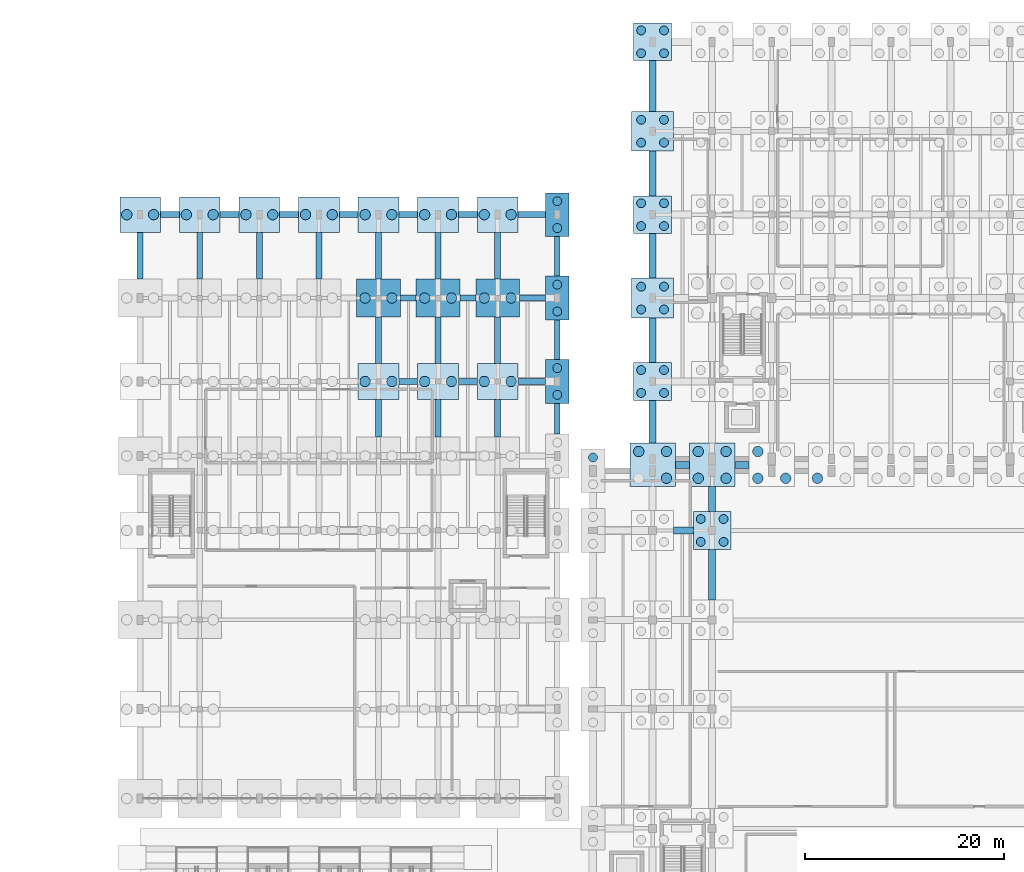
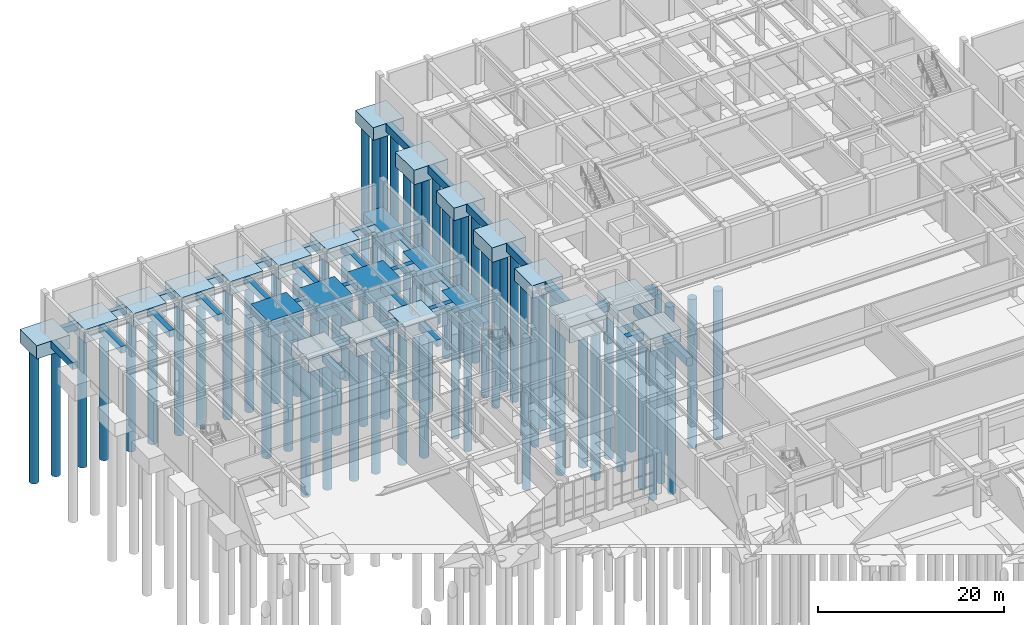
# One storey, part 6 of 69: 68 piles, 63 footings.
"""IFC4 building model written with IfcOpenShell, lengths in metres."""

from ifc_helpers import new_model, si_unit, direction, frame, origin, origin_2d, place, context, subcontext, project, spatial, rectangle, circle, extrude, material, material_profile, profile_set, type_object, element, save


model = new_model("IFC4")

# Units and contexts
model_context = context("Model", 3, precision=1e-05, world=origin(), true_north=direction((0.0, 1.0)))
body_context = subcontext(model_context, "Body", "Model", "MODEL_VIEW")
ifc_project = project(units=[si_unit("LENGTHUNIT", "METRE"), si_unit("AREAUNIT", "SQUARE_METRE"), si_unit("VOLUMEUNIT", "CUBIC_METRE"), si_unit("PLANEANGLEUNIT", "RADIAN"), si_unit("MASSUNIT", "GRAM", prefix="KILO")], contexts=[model_context])

# Site, building, storey
site_placement = place(None, origin())
site = spatial("IfcSite", under=ifc_project, at=site_placement, CompositionType="ELEMENT")
building_placement = place(site_placement, origin())
building = spatial("IfcBuilding", under=site, at=building_placement, Name="Vaelkrest Opera House", CompositionType="ELEMENT")
storey_placement = place(building_placement, frame((0.0, 0.0, -5.39990234375)))
storey = spatial("IfcBuildingStorey", under=building, at=storey_placement, Name="B1", CompositionType="ELEMENT", Elevation=-5.39990234375)

# Footings
ifc_material = material(Name="Concrete C40/50", Category="concrete")
footing_type_1 = type_object("IfcFootingType", Name="FB01", PredefinedType="FOOTING_BEAM", material=ifc_material)
for number, where, z_axis, x_axis, name in (
    (1, (-48.60009765625, 25.199951171875, -0.900146484375), (0.0, 0.0, 1.0), (1.0, 0.0, 0.0), "Footing tie beam FT-GB-0222"),
    (2, (-42.60009765625, 25.199951171875, -0.900146484375), (0.0, 0.0, 1.0), (1.0, 0.0, 0.0), "Footing tie beam FT-GB-0223"),
):
    element("IfcFooting", number, at=place(storey_placement, frame(where, z_axis=z_axis, x_axis=x_axis)), inside=storey, type_object=footing_type_1, Name=name, PredefinedType="FOOTING_BEAM", context=body_context, shape_type="SweptSolid", body=[
        extrude(rectangle(XDim=1.89990234375, YDim=0.60009765625, at=origin_2d()), origin(), (0.0, 0.0, 1.0), 0.89990234375),
    ])
footing_1_placement = place(storey_placement, frame((-36.175048828125, 25.199951171875, -0.900146484375), z_axis=(0.0, 0.0, 1.0), x_axis=(1.0, 0.0, 0.0)))
element("IfcFooting", 3, at=footing_1_placement, inside=storey, type_object=footing_type_1, Name="Footing tie beam FT-GB-0224", PredefinedType="FOOTING_BEAM", context=body_context, shape_type="SweptSolid", body=[
    extrude(rectangle(XDim=2.75, YDim=0.60009765625, at=origin_2d()), origin(), (0.0, 0.0, 1.0), 0.89990234375),
])
for number, where, z_axis, x_axis, name in (
    (4, (-48.60009765625, 33.60009765625, -0.900146484375), (0.0, 0.0, 1.0), (1.0, 0.0, 0.0), "Footing tie beam FT-GB-0229"),
    (5, (-42.60009765625, 33.60009765625, -0.900146484375), (0.0, 0.0, 1.0), (1.0, 0.0, 0.0), "Footing tie beam FT-GB-0230"),
):
    element("IfcFooting", number, at=place(storey_placement, frame(where, z_axis=z_axis, x_axis=x_axis)), inside=storey, type_object=footing_type_1, Name=name, PredefinedType="FOOTING_BEAM", context=body_context, shape_type="SweptSolid", body=[
        extrude(rectangle(XDim=1.60009765625, YDim=0.60009765625, at=origin_2d()), origin(), (0.0, 0.0, 1.0), 0.89990234375),
    ])
footing_2_placement = place(storey_placement, frame((-36.10009765625, 33.60009765625, -0.900146484375), z_axis=(0.0, 0.0, 1.0), x_axis=(1.0, 0.0, 0.0)))
element("IfcFooting", 6, at=footing_2_placement, inside=storey, type_object=footing_type_1, Name="Footing tie beam FT-GB-0231", PredefinedType="FOOTING_BEAM", context=body_context, shape_type="SweptSolid", body=[
    extrude(rectangle(XDim=2.60009765625, YDim=0.60009765625, at=origin_2d()), origin(), (0.0, 0.0, 1.0), 0.89990234375),
])
for number, where, z_axis, x_axis, name in (
    (7, (-72.60009765625, 42.0, -0.900146484375), (0.0, 0.0, 1.0), (1.0, 0.0, 0.0), "Footing tie beam FT-GB-0232"),
    (8, (-66.60009765625, 42.0, -0.900146484375), (0.0, 0.0, 1.0), (1.0, 0.0, 0.0), "Footing tie beam FT-GB-0233"),
    (9, (-60.60009765625, 42.0, -0.900146484375), (0.0, 0.0, 1.0), (1.0, 0.0, 0.0), "Footing tie beam FT-GB-0234"),
    (10, (-54.60009765625, 42.0, -0.900146484375), (0.0, 0.0, 1.0), (1.0, 0.0, 0.0), "Footing tie beam FT-GB-0235"),
    (11, (-48.60009765625, 42.0, -0.900146484375), (0.0, 0.0, 1.0), (1.0, 0.0, 0.0), "Footing tie beam FT-GB-0236"),
    (12, (-42.60009765625, 42.0, -0.900146484375), (0.0, 0.0, 1.0), (1.0, 0.0, 0.0), "Footing tie beam FT-GB-0237"),
):
    element("IfcFooting", number, at=place(storey_placement, frame(where, z_axis=z_axis, x_axis=x_axis)), inside=storey, type_object=footing_type_1, Name=name, PredefinedType="FOOTING_BEAM", context=body_context, shape_type="SweptSolid", body=[
        extrude(rectangle(XDim=1.89990234375, YDim=0.60009765625, at=origin_2d()), origin(), (0.0, 0.0, 1.0), 0.89990234375),
    ])
footing_3_placement = place(storey_placement, frame((-36.175048828125, 42.0, -0.900146484375), z_axis=(0.0, 0.0, 1.0), x_axis=(1.0, 0.0, 0.0)))
element("IfcFooting", 13, at=footing_3_placement, inside=storey, type_object=footing_type_1, Name="Footing tie beam FT-GB-0238", PredefinedType="FOOTING_BEAM", context=body_context, shape_type="SweptSolid", body=[
    extrude(rectangle(XDim=2.75, YDim=0.60009765625, at=origin_2d()), origin(), (0.0, 0.0, 1.0), 0.89990234375),
])
for number, where, z_axis, x_axis, name in (
    (14, (-75.60009765625, 37.85009765625, -0.900146484375), (0.0, 0.0, 1.0), (0.0, 1.0, 0.0), "Footing tie beam FT-GB-0245"),
    (15, (-69.60009765625, 37.85009765625, -0.900146484375), (0.0, 0.0, 1.0), (0.0, 1.0, 0.0), "Footing tie beam FT-GB-0252"),
    (16, (-63.60009765625, 37.85009765625, -0.900146484375), (0.0, 0.0, 1.0), (0.0, 1.0, 0.0), "Footing tie beam FT-GB-0256"),
    (17, (-57.60009765625, 37.85009765625, -0.900146484375), (0.0, 0.0, 1.0), (0.0, 1.0, 0.0), "Footing tie beam FT-GB-0260"),
):
    element("IfcFooting", number, at=place(storey_placement, frame(where, z_axis=z_axis, x_axis=x_axis)), inside=storey, type_object=footing_type_1, Name=name, PredefinedType="FOOTING_BEAM", context=body_context, shape_type="SweptSolid", body=[
        extrude(rectangle(XDim=4.699951171875, YDim=0.60009765625, at=origin_2d()), origin(), (0.0, 0.0, 1.0), 0.89990234375),
    ])
footing_4_placement = place(storey_placement, frame((-51.60009765625, 21.5, -0.900146484375), z_axis=(0.0, 0.0, 1.0), x_axis=(0.0, 1.0, 0.0)))
element("IfcFooting", 18, at=footing_4_placement, inside=storey, type_object=footing_type_1, Name="Footing tie beam FT-GB-0265", PredefinedType="FOOTING_BEAM", context=body_context, shape_type="SweptSolid", body=[
    extrude(rectangle(XDim=3.800048828125, YDim=0.60009765625, at=origin_2d()), origin(), (0.0, 0.0, 1.0), 0.89990234375),
])
for number, where, z_axis, x_axis, name in (
    (19, (-51.60009765625, 29.35009765625, -0.900146484375), (0.0, 0.0, 1.0), (0.0, 1.0, 0.0), "Footing tie beam FT-GB-0266"),
    (20, (-51.60009765625, 37.85009765625, -0.900146484375), (0.0, 0.0, 1.0), (0.0, 1.0, 0.0), "Footing tie beam FT-GB-0267"),
):
    element("IfcFooting", number, at=place(storey_placement, frame(where, z_axis=z_axis, x_axis=x_axis)), inside=storey, type_object=footing_type_1, Name=name, PredefinedType="FOOTING_BEAM", context=body_context, shape_type="SweptSolid", body=[
        extrude(rectangle(XDim=4.699951171875, YDim=0.60009765625, at=origin_2d()), origin(), (0.0, 0.0, 1.0), 0.89990234375),
    ])
footing_5_placement = place(storey_placement, frame((-45.60009765625, 21.5, -0.900146484375), z_axis=(0.0, 0.0, 1.0), x_axis=(0.0, 1.0, 0.0)))
element("IfcFooting", 21, at=footing_5_placement, inside=storey, type_object=footing_type_1, Name="Footing tie beam FT-GB-0272", PredefinedType="FOOTING_BEAM", context=body_context, shape_type="SweptSolid", body=[
    extrude(rectangle(XDim=3.800048828125, YDim=0.60009765625, at=origin_2d()), origin(), (0.0, 0.0, 1.0), 0.89990234375),
])
for number, where, z_axis, x_axis, name in (
    (22, (-45.60009765625, 29.35009765625, -0.900146484375), (0.0, 0.0, 1.0), (0.0, 1.0, 0.0), "Footing tie beam FT-GB-0273"),
    (23, (-45.60009765625, 37.85009765625, -0.900146484375), (0.0, 0.0, 1.0), (0.0, 1.0, 0.0), "Footing tie beam FT-GB-0274"),
):
    element("IfcFooting", number, at=place(storey_placement, frame(where, z_axis=z_axis, x_axis=x_axis)), inside=storey, type_object=footing_type_1, Name=name, PredefinedType="FOOTING_BEAM", context=body_context, shape_type="SweptSolid", body=[
        extrude(rectangle(XDim=4.699951171875, YDim=0.60009765625, at=origin_2d()), origin(), (0.0, 0.0, 1.0), 0.89990234375),
    ])
footing_6_placement = place(storey_placement, frame((-39.60009765625, 21.5, -0.900146484375), z_axis=(0.0, 0.0, 1.0), x_axis=(0.0, 1.0, 0.0)))
element("IfcFooting", 24, at=footing_6_placement, inside=storey, type_object=footing_type_1, Name="Footing tie beam FT-GB-0279", PredefinedType="FOOTING_BEAM", context=body_context, shape_type="SweptSolid", body=[
    extrude(rectangle(XDim=3.800048828125, YDim=0.60009765625, at=origin_2d()), origin(), (0.0, 0.0, 1.0), 0.89990234375),
])
for number, where, z_axis, x_axis, name in (
    (25, (-39.60009765625, 29.35009765625, -0.900146484375), (0.0, 0.0, 1.0), (0.0, 1.0, 0.0), "Footing tie beam FT-GB-0280"),
    (26, (-39.60009765625, 37.85009765625, -0.900146484375), (0.0, 0.0, 1.0), (0.0, 1.0, 0.0), "Footing tie beam FT-GB-0281"),
):
    element("IfcFooting", number, at=place(storey_placement, frame(where, z_axis=z_axis, x_axis=x_axis)), inside=storey, type_object=footing_type_1, Name=name, PredefinedType="FOOTING_BEAM", context=body_context, shape_type="SweptSolid", body=[
        extrude(rectangle(XDim=4.699951171875, YDim=0.60009765625, at=origin_2d()), origin(), (0.0, 0.0, 1.0), 0.89990234375),
    ])
footing_7_placement = place(storey_placement, frame((-33.60009765625, 21.449951171875, -0.900146484375), z_axis=(0.0, 0.0, 1.0), x_axis=(0.0, 1.0, 0.0)))
element("IfcFooting", 27, at=footing_7_placement, inside=storey, type_object=footing_type_1, Name="Footing tie beam FT-GB-0286", PredefinedType="FOOTING_BEAM", context=body_context, shape_type="SweptSolid", body=[
    extrude(rectangle(XDim=3.10009765625, YDim=0.60009765625, at=origin_2d()), origin(), (0.0, 0.0, 1.0), 0.89990234375),
])
for number, where, z_axis, x_axis, name in (
    (28, (-33.60009765625, 29.39990234375, -0.900146484375), (0.0, 0.0, 1.0), (0.0, 1.0, 0.0), "Footing tie beam FT-GB-0287"),
    (29, (-33.60009765625, 37.800048828125, -0.900146484375), (0.0, 0.0, 1.0), (0.0, 1.0, 0.0), "Footing tie beam FT-GB-0288"),
):
    element("IfcFooting", number, at=place(storey_placement, frame(where, z_axis=z_axis, x_axis=x_axis)), inside=storey, type_object=footing_type_1, Name=name, PredefinedType="FOOTING_BEAM", context=body_context, shape_type="SweptSolid", body=[
        extrude(rectangle(XDim=4.0, YDim=0.60009765625, at=origin_2d()), origin(), (0.0, 0.0, 1.0), 0.89990234375),
    ])
footing_type_2 = type_object("IfcFootingType", Name="FB02", PredefinedType="FOOTING_BEAM", material=ifc_material)
footing_8_placement = place(storey_placement, frame((-20.89990234375, 10.199951171875, -1.05029296875), z_axis=(0.0, 0.0, 1.0), x_axis=(1.0, 0.0, 0.0)))
element("IfcFooting", 30, at=footing_8_placement, inside=storey, type_object=footing_type_2, Name="Footing tie beam FT-GB-0044", PredefinedType="FOOTING_BEAM", context=body_context, shape_type="SweptSolid", body=[
    extrude(rectangle(XDim=2.0, YDim=0.699951171875, at=origin_2d()), origin(), (0.0, 0.0, 1.0), 1.050048828125),
])
for number, where, z_axis, x_axis, name in (
    (31, (-21.0, 16.800048828125, -1.05029296875), (0.0, 0.0, 1.0), (1.0, 0.0, 0.0), "Footing tie beam FT-GB-0047"),
    (32, (-15.0, 16.800048828125, -1.05029296875), (0.0, 0.0, 1.0), (1.0, 0.0, 0.0), "Footing tie beam FT-GB-0048"),
):
    element("IfcFooting", number, at=place(storey_placement, frame(where, z_axis=z_axis, x_axis=x_axis)), inside=storey, type_object=footing_type_2, Name=name, PredefinedType="FOOTING_BEAM", context=body_context, shape_type="SweptSolid", body=[
        extrude(rectangle(XDim=1.39990234375, YDim=0.699951171875, at=origin_2d()), origin(), (0.0, 0.0, 1.0), 1.050048828125),
    ])
footing_9_placement = place(storey_placement, frame((-18.0, 5.75, -1.05029296875), z_axis=(0.0, 0.0, 1.0), x_axis=(0.0, 1.0, 0.0)))
element("IfcFooting", 33, at=footing_9_placement, inside=storey, type_object=footing_type_2, Name="Footing tie beam FT-GB-0075", PredefinedType="FOOTING_BEAM", context=body_context, shape_type="SweptSolid", body=[
    extrude(rectangle(XDim=5.10009765625, YDim=0.699951171875, at=origin_2d()), origin(), (0.0, 0.0, 1.0), 1.050048828125),
])
footing_10_placement = place(storey_placement, frame((-18.0, 13.35009765625, -1.05029296875), z_axis=(0.0, 0.0, 1.0), x_axis=(0.0, 1.0, 0.0)))
element("IfcFooting", 34, at=footing_10_placement, inside=storey, type_object=footing_type_2, Name="Footing tie beam FT-GB-0076", PredefinedType="FOOTING_BEAM", context=body_context, shape_type="SweptSolid", body=[
    extrude(rectangle(XDim=2.5, YDim=0.699951171875, at=origin_2d()), origin(), (0.0, 0.0, 1.0), 1.050048828125),
])
footing_11_placement = place(storey_placement, frame((-24.0, 21.14990234375, -1.05029296875), z_axis=(0.0, 0.0, 1.0), x_axis=(0.0, 1.0, 0.0)))
element("IfcFooting", 35, at=footing_11_placement, inside=storey, type_object=footing_type_2, Name="Footing tie beam FT-GB-0145", PredefinedType="FOOTING_BEAM", context=body_context, shape_type="SweptSolid", body=[
    extrude(rectangle(XDim=4.300048828125, YDim=0.699951171875, at=origin_2d()), origin(), (0.0, 0.0, 1.0), 1.050048828125),
])
for number, where, z_axis, x_axis, name in (
    (36, (-24.0, 29.35009765625, -1.05029296875), (0.0, 0.0, 1.0), (0.0, 1.0, 0.0), "Footing tie beam FT-GB-0146"),
    (37, (-24.0, 37.85009765625, -1.05029296875), (0.0, 0.0, 1.0), (0.0, 1.0, 0.0), "Footing tie beam FT-GB-0147"),
    (38, (-24.0, 46.14990234375, -1.05029296875), (0.0, 0.0, 1.0), (0.0, 1.0, 0.0), "Footing tie beam FT-GB-0148"),
):
    element("IfcFooting", number, at=place(storey_placement, frame(where, z_axis=z_axis, x_axis=x_axis)), inside=storey, type_object=footing_type_2, Name=name, PredefinedType="FOOTING_BEAM", context=body_context, shape_type="SweptSolid", body=[
        extrude(rectangle(XDim=4.5, YDim=0.699951171875, at=origin_2d()), origin(), (0.0, 0.0, 1.0), 1.050048828125),
    ])
footing_12_placement = place(storey_placement, frame((-24.0, 54.949951171875, -1.05029296875), z_axis=(0.0, 0.0, 1.0), x_axis=(0.0, 1.0, 0.0)))
element("IfcFooting", 39, at=footing_12_placement, inside=storey, type_object=footing_type_2, Name="Footing tie beam FT-GB-0149", PredefinedType="FOOTING_BEAM", context=body_context, shape_type="SweptSolid", body=[
    extrude(rectangle(XDim=5.10009765625, YDim=0.699951171875, at=origin_2d()), origin(), (0.0, 0.0, 1.0), 1.050048828125),
])
footing_type_3 = type_object("IfcFootingType", Name="PC02", PredefinedType="PILE_CAP", material=ifc_material)
for number, where, z_axis, x_axis, name in (
    (40, (-18.0, 10.199951171875, -1.650146484375), (0.0, 0.0, 1.0), (1.0, 0.0, 0.0), "Pile cap FT-CAP-024"),
    (41, (-24.0, 25.199951171875, -1.650146484375), (0.0, 0.0, 1.0), (1.0, 0.0, 0.0), "Pile cap FT-CAP-070"),
    (42, (-24.0, 42.0, -1.650146484375), (0.0, 0.0, 1.0), (1.0, 0.0, 0.0), "Pile cap FT-CAP-072"),
    (43, (-24.0, 59.39990234375, -1.650146484375), (0.0, 0.0, 1.0), (1.0, 0.0, 0.0), "Pile cap FT-CAP-074"),
):
    element("IfcFooting", number, at=place(storey_placement, frame(where, z_axis=z_axis, x_axis=x_axis)), inside=storey, type_object=footing_type_3, Name=name, PredefinedType="PILE_CAP", context=body_context, shape_type="SweptSolid", body=[
        extrude(rectangle(XDim=3.800048828125, YDim=3.800048828125, at=origin_2d()), origin(), (0.0, 0.0, 1.0), 1.64990234375),
    ])
footing_type_4 = type_object("IfcFootingType", Name="PC03", PredefinedType="PILE_CAP", material=ifc_material)
for number, where, z_axis, x_axis, name in (
    (44, (-75.60009765625, 42.0, -1.75), (0.0, 0.0, 1.0), (1.0, 0.0, 0.0), "Pile cap FT-CAP-124"),
    (45, (-69.60009765625, 42.0, -1.75), (0.0, 0.0, 1.0), (1.0, 0.0, 0.0), "Pile cap FT-CAP-132"),
    (46, (-63.60009765625, 42.0, -1.75), (0.0, 0.0, 1.0), (1.0, 0.0, 0.0), "Pile cap FT-CAP-138"),
    (47, (-57.60009765625, 42.0, -1.75), (0.0, 0.0, 1.0), (1.0, 0.0, 0.0), "Pile cap FT-CAP-144"),
    (48, (-51.60009765625, 25.199951171875, -1.75), (0.0, 0.0, 1.0), (1.0, 0.0, 0.0), "Pile cap FT-CAP-150"),
    (49, (-51.60009765625, 42.0, -1.75), (0.0, 0.0, 1.0), (1.0, 0.0, 0.0), "Pile cap FT-CAP-152"),
    (50, (-45.60009765625, 25.199951171875, -1.75), (0.0, 0.0, 1.0), (1.0, 0.0, 0.0), "Pile cap FT-CAP-158"),
    (51, (-45.60009765625, 42.0, -1.75), (0.0, 0.0, 1.0), (1.0, 0.0, 0.0), "Pile cap FT-CAP-160"),
    (52, (-39.60009765625, 25.199951171875, -1.75), (0.0, 0.0, 1.0), (1.0, 0.0, 0.0), "Pile cap FT-CAP-166"),
    (53, (-39.60009765625, 42.0, -1.75), (0.0, 0.0, 1.0), (1.0, 0.0, 0.0), "Pile cap FT-CAP-168"),
):
    element("IfcFooting", number, at=place(storey_placement, frame(where, z_axis=z_axis, x_axis=x_axis)), inside=storey, type_object=footing_type_4, Name=name, PredefinedType="PILE_CAP", context=body_context, shape_type="SweptSolid", body=[
        extrude(rectangle(XDim=4.10009765625, YDim=3.60009765625, at=origin_2d()), origin(), (0.0, 0.0, 1.0), 1.75),
    ])
footing_type_5 = type_object("IfcFootingType", Name="PC04", PredefinedType="PILE_CAP", material=ifc_material)
for number, where, z_axis, x_axis, name in (
    (54, (-24.0, 33.60009765625, -1.900146484375), (0.0, 0.0, 1.0), (1.0, 0.0, 0.0), "Pile cap FT-CAP-071"),
    (55, (-24.0, 50.39990234375, -1.900146484375), (0.0, 0.0, 1.0), (1.0, 0.0, 0.0), "Pile cap FT-CAP-073"),
):
    element("IfcFooting", number, at=place(storey_placement, frame(where, z_axis=z_axis, x_axis=x_axis)), inside=storey, type_object=footing_type_5, Name=name, PredefinedType="PILE_CAP", context=body_context, shape_type="SweptSolid", body=[
        extrude(rectangle(XDim=4.199951171875, YDim=4.0, at=origin_2d()), origin(), (0.0, 0.0, 1.0), 1.89990234375),
    ])
footing_type_6 = type_object("IfcFootingType", Name="PC05", PredefinedType="PILE_CAP", material=ifc_material)
for number, where, z_axis, x_axis, name in (
    (56, (-51.60009765625, 33.60009765625, -2.05029296875), (0.0, 0.0, 1.0), (1.0, 0.0, 0.0), "Pile cap FT-CAP-151"),
    (57, (-45.60009765625, 33.60009765625, -2.05029296875), (0.0, 0.0, 1.0), (1.0, 0.0, 0.0), "Pile cap FT-CAP-159"),
    (58, (-39.60009765625, 33.60009765625, -2.05029296875), (0.0, 0.0, 1.0), (1.0, 0.0, 0.0), "Pile cap FT-CAP-167"),
):
    element("IfcFooting", number, at=place(storey_placement, frame(where, z_axis=z_axis, x_axis=x_axis)), inside=storey, type_object=footing_type_6, Name=name, PredefinedType="PILE_CAP", context=body_context, shape_type="SweptSolid", body=[
        extrude(rectangle(XDim=4.39990234375, YDim=3.800048828125, at=origin_2d()), origin(), (0.0, 0.0, 1.0), 2.050048828125),
    ])
footing_type_7 = type_object("IfcFootingType", Name="PC07", PredefinedType="PILE_CAP", material=ifc_material)
for number, where, z_axis, x_axis, name in (
    (59, (-24.0, 16.800048828125, -2.150146484375), (0.0, 0.0, 1.0), (1.0, 0.0, 0.0), "Combined proscenium pile cap FT-CAP-016"),
    (60, (-18.0, 16.800048828125, -2.150146484375), (0.0, 0.0, 1.0), (1.0, 0.0, 0.0), "Combined proscenium pile cap FT-CAP-025"),
):
    element("IfcFooting", number, at=place(storey_placement, frame(where, z_axis=z_axis, x_axis=x_axis)), inside=storey, type_object=footing_type_7, Name=name, PredefinedType="PILE_CAP", context=body_context, shape_type="SweptSolid", body=[
        extrude(rectangle(XDim=4.60009765625, YDim=4.39990234375, at=origin_2d()), origin(), (0.0, 0.0, 1.0), 2.14990234375),
    ])
footing_type_8 = type_object("IfcFootingType", Name="PC08", PredefinedType="PILE_CAP", material=ifc_material)
for number, where, z_axis, x_axis, name in (
    (61, (-33.60009765625, 25.199951171875, -1.75), (0.0, 0.0, 1.0), (1.0, 0.0, 0.0), "Pile cap FT-CAP-174"),
    (62, (-33.60009765625, 33.60009765625, -1.75), (0.0, 0.0, 1.0), (1.0, 0.0, 0.0), "Pile cap FT-CAP-175"),
    (63, (-33.60009765625, 42.0, -1.75), (0.0, 0.0, 1.0), (1.0, 0.0, 0.0), "Pile cap FT-CAP-176"),
):
    element("IfcFooting", number, at=place(storey_placement, frame(where, z_axis=z_axis, x_axis=x_axis)), inside=storey, type_object=footing_type_8, Name=name, PredefinedType="PILE_CAP", context=body_context, shape_type="SweptSolid", body=[
        extrude(rectangle(XDim=2.39990234375, YDim=4.39990234375, at=origin_2d()), origin(), (0.0, 0.0, 1.0), 1.75),
    ])

# Piles
ifc_material_profile_1 = material_profile(ifc_material, circle(Radius=0.449951171875, at=origin_2d()), Name="PILE900")
ifc_profile_set_1 = profile_set([ifc_material_profile_1], Name="Concrete C40/50")
pile_type_1 = type_object("IfcPileType", Name="PL01", PredefinedType="BORED", material=ifc_profile_set_1)
pile_placement = place(storey_placement, frame((-30.0, 17.550048828125, -1.650146484375), z_axis=(0.0, 0.0, -1.0), x_axis=(1.0, 0.0, 0.0)))
element("IfcPile", 64, at=pile_placement, inside=storey, type_object=pile_type_1, Name="Bored pile PL-0018", PredefinedType="BORED", context=body_context, shape_type="SweptSolid", body=[
    extrude(circle(Radius=0.449951171875, at=origin_2d()), origin(), (0.0, 0.0, 1.0), 19.949951171875),
])
for number, where, z_axis, x_axis, name in (
    (65, (-19.14990234375, 9.050048828125, -1.550048828125), (0.0, 0.0, -1.0), (1.0, 0.0, 0.0), "Bored pile PL-0075"),
    (66, (-16.85009765625, 9.050048828125, -1.550048828125), (0.0, 0.0, -1.0), (1.0, 0.0, 0.0), "Bored pile PL-0076"),
    (67, (-19.14990234375, 11.35009765625, -1.550048828125), (0.0, 0.0, -1.0), (1.0, 0.0, 0.0), "Bored pile PL-0077"),
    (68, (-16.85009765625, 11.35009765625, -1.550048828125), (0.0, 0.0, -1.0), (1.0, 0.0, 0.0), "Bored pile PL-0078"),
    (69, (-25.14990234375, 24.050048828125, -1.550048828125), (0.0, 0.0, -1.0), (1.0, 0.0, 0.0), "Bored pile PL-0243"),
    (70, (-22.85009765625, 24.050048828125, -1.550048828125), (0.0, 0.0, -1.0), (1.0, 0.0, 0.0), "Bored pile PL-0244"),
    (71, (-25.14990234375, 26.35009765625, -1.550048828125), (0.0, 0.0, -1.0), (1.0, 0.0, 0.0), "Bored pile PL-0245"),
    (72, (-22.85009765625, 26.35009765625, -1.550048828125), (0.0, 0.0, -1.0), (1.0, 0.0, 0.0), "Bored pile PL-0246"),
):
    element("IfcPile", number, at=place(storey_placement, frame(where, z_axis=z_axis, x_axis=x_axis)), inside=storey, type_object=pile_type_1, Name=name, PredefinedType="BORED", context=body_context, shape_type="SweptSolid", body=[
        extrude(circle(Radius=0.449951171875, at=origin_2d()), origin(), (0.0, 0.0, 1.0), 20.050048828125),
    ])
for number, where, z_axis, x_axis, name in (
    (73, (-25.14990234375, 32.449951171875, -1.800048828125), (0.0, 0.0, -1.0), (1.0, 0.0, 0.0), "Bored pile PL-0247"),
    (74, (-22.85009765625, 32.449951171875, -1.800048828125), (0.0, 0.0, -1.0), (1.0, 0.0, 0.0), "Bored pile PL-0248"),
    (75, (-25.14990234375, 34.75, -1.800048828125), (0.0, 0.0, -1.0), (1.0, 0.0, 0.0), "Bored pile PL-0249"),
    (76, (-22.85009765625, 34.75, -1.800048828125), (0.0, 0.0, -1.0), (1.0, 0.0, 0.0), "Bored pile PL-0250"),
):
    element("IfcPile", number, at=place(storey_placement, frame(where, z_axis=z_axis, x_axis=x_axis)), inside=storey, type_object=pile_type_1, Name=name, PredefinedType="BORED", context=body_context, shape_type="SweptSolid", body=[
        extrude(circle(Radius=0.449951171875, at=origin_2d()), origin(), (0.0, 0.0, 1.0), 19.800048828125),
    ])
for number, where, z_axis, x_axis, name in (
    (77, (-25.14990234375, 40.85009765625, -1.550048828125), (0.0, 0.0, -1.0), (1.0, 0.0, 0.0), "Bored pile PL-0251"),
    (78, (-22.85009765625, 40.85009765625, -1.550048828125), (0.0, 0.0, -1.0), (1.0, 0.0, 0.0), "Bored pile PL-0252"),
    (79, (-25.14990234375, 43.14990234375, -1.550048828125), (0.0, 0.0, -1.0), (1.0, 0.0, 0.0), "Bored pile PL-0253"),
    (80, (-22.85009765625, 43.14990234375, -1.550048828125), (0.0, 0.0, -1.0), (1.0, 0.0, 0.0), "Bored pile PL-0254"),
):
    element("IfcPile", number, at=place(storey_placement, frame(where, z_axis=z_axis, x_axis=x_axis)), inside=storey, type_object=pile_type_1, Name=name, PredefinedType="BORED", context=body_context, shape_type="SweptSolid", body=[
        extrude(circle(Radius=0.449951171875, at=origin_2d()), origin(), (0.0, 0.0, 1.0), 20.050048828125),
    ])
for number, where, z_axis, x_axis, name in (
    (81, (-25.14990234375, 49.25, -1.800048828125), (0.0, 0.0, -1.0), (1.0, 0.0, 0.0), "Bored pile PL-0255"),
    (82, (-22.85009765625, 49.25, -1.800048828125), (0.0, 0.0, -1.0), (1.0, 0.0, 0.0), "Bored pile PL-0256"),
    (83, (-25.14990234375, 51.550048828125, -1.800048828125), (0.0, 0.0, -1.0), (1.0, 0.0, 0.0), "Bored pile PL-0257"),
    (84, (-22.85009765625, 51.550048828125, -1.800048828125), (0.0, 0.0, -1.0), (1.0, 0.0, 0.0), "Bored pile PL-0258"),
):
    element("IfcPile", number, at=place(storey_placement, frame(where, z_axis=z_axis, x_axis=x_axis)), inside=storey, type_object=pile_type_1, Name=name, PredefinedType="BORED", context=body_context, shape_type="SweptSolid", body=[
        extrude(circle(Radius=0.449951171875, at=origin_2d()), origin(), (0.0, 0.0, 1.0), 19.800048828125),
    ])
for number, where, z_axis, x_axis, name in (
    (85, (-25.14990234375, 58.25, -1.550048828125), (0.0, 0.0, -1.0), (1.0, 0.0, 0.0), "Bored pile PL-0259"),
    (86, (-22.85009765625, 58.25, -1.550048828125), (0.0, 0.0, -1.0), (1.0, 0.0, 0.0), "Bored pile PL-0260"),
    (87, (-25.14990234375, 60.550048828125, -1.550048828125), (0.0, 0.0, -1.0), (1.0, 0.0, 0.0), "Bored pile PL-0261"),
    (88, (-22.85009765625, 60.550048828125, -1.550048828125), (0.0, 0.0, -1.0), (1.0, 0.0, 0.0), "Bored pile PL-0262"),
):
    element("IfcPile", number, at=place(storey_placement, frame(where, z_axis=z_axis, x_axis=x_axis)), inside=storey, type_object=pile_type_1, Name=name, PredefinedType="BORED", context=body_context, shape_type="SweptSolid", body=[
        extrude(circle(Radius=0.449951171875, at=origin_2d()), origin(), (0.0, 0.0, 1.0), 20.050048828125),
    ])
for number, where, z_axis, x_axis, name in (
    (89, (-33.60009765625, 23.85009765625, -1.650146484375), (0.0, 0.0, -1.0), (1.0, 0.0, 0.0), "Bored pile PL-0535"),
    (90, (-33.60009765625, 26.550048828125, -1.650146484375), (0.0, 0.0, -1.0), (1.0, 0.0, 0.0), "Bored pile PL-0536"),
    (91, (-33.60009765625, 32.25, -1.650146484375), (0.0, 0.0, -1.0), (1.0, 0.0, 0.0), "Bored pile PL-0537"),
    (92, (-33.60009765625, 34.949951171875, -1.650146484375), (0.0, 0.0, -1.0), (1.0, 0.0, 0.0), "Bored pile PL-0538"),
    (93, (-33.60009765625, 40.64990234375, -1.650146484375), (0.0, 0.0, -1.0), (1.0, 0.0, 0.0), "Bored pile PL-0539"),
    (94, (-33.60009765625, 43.35009765625, -1.650146484375), (0.0, 0.0, -1.0), (1.0, 0.0, 0.0), "Bored pile PL-0540"),
):
    element("IfcPile", number, at=place(storey_placement, frame(where, z_axis=z_axis, x_axis=x_axis)), inside=storey, type_object=pile_type_1, Name=name, PredefinedType="BORED", context=body_context, shape_type="SweptSolid", body=[
        extrude(circle(Radius=0.449951171875, at=origin_2d()), origin(), (0.0, 0.0, 1.0), 17.449951171875),
    ])
ifc_material_profile_2 = material_profile(ifc_material, circle(Radius=0.52490234375, at=origin_2d()), Name="PILE1050")
ifc_profile_set_2 = profile_set([ifc_material_profile_2], Name="Concrete C40/50")
pile_type_2 = type_object("IfcPileType", Name="PL02", PredefinedType="BORED", material=ifc_profile_set_2)
for number, where, z_axis, x_axis, name in (
    (95, (-22.60009765625, 15.449951171875, -2.050048828125), (0.0, 0.0, -1.0), (1.0, 0.0, 0.0), "Bored pile PL-0044"),
    (96, (-25.39990234375, 18.14990234375, -2.050048828125), (0.0, 0.0, -1.0), (1.0, 0.0, 0.0), "Bored pile PL-0045"),
    (97, (-22.60009765625, 18.14990234375, -2.050048828125), (0.0, 0.0, -1.0), (1.0, 0.0, 0.0), "Bored pile PL-0046"),
    (98, (-19.39990234375, 15.449951171875, -2.050048828125), (0.0, 0.0, -1.0), (1.0, 0.0, 0.0), "Bored pile PL-0079"),
    (99, (-16.60009765625, 15.449951171875, -2.050048828125), (0.0, 0.0, -1.0), (1.0, 0.0, 0.0), "Bored pile PL-0080"),
    (100, (-19.39990234375, 18.14990234375, -2.050048828125), (0.0, 0.0, -1.0), (1.0, 0.0, 0.0), "Bored pile PL-0081"),
    (101, (-16.60009765625, 18.14990234375, -2.050048828125), (0.0, 0.0, -1.0), (1.0, 0.0, 0.0), "Bored pile PL-0082"),
    (102, (-13.39990234375, 15.449951171875, -2.050048828125), (0.0, 0.0, -1.0), (1.0, 0.0, 0.0), "Bored pile PL-0091"),
    (103, (-10.60009765625, 15.449951171875, -2.050048828125), (0.0, 0.0, -1.0), (1.0, 0.0, 0.0), "Bored pile PL-0092"),
    (104, (-13.39990234375, 18.14990234375, -2.050048828125), (0.0, 0.0, -1.0), (1.0, 0.0, 0.0), "Bored pile PL-0093"),
    (105, (-7.39990234375, 15.449951171875, -2.050048828125), (0.0, 0.0, -1.0), (1.0, 0.0, 0.0), "Bored pile PL-0111"),
):
    element("IfcPile", number, at=place(storey_placement, frame(where, z_axis=z_axis, x_axis=x_axis)), inside=storey, type_object=pile_type_2, Name=name, PredefinedType="BORED", context=body_context, shape_type="SweptSolid", body=[
        extrude(circle(Radius=0.52490234375, at=origin_2d()), origin(), (0.0, 0.0, 1.0), 19.550048828125),
    ])
for number, where, z_axis, x_axis, name in (
    (106, (-76.949951171875, 42.0, -1.650146484375), (0.0, 0.0, -1.0), (1.0, 0.0, 0.0), "Bored pile PL-0435"),
    (107, (-74.25, 42.0, -1.650146484375), (0.0, 0.0, -1.0), (1.0, 0.0, 0.0), "Bored pile PL-0436"),
    (108, (-70.949951171875, 42.0, -1.650146484375), (0.0, 0.0, -1.0), (1.0, 0.0, 0.0), "Bored pile PL-0451"),
    (109, (-68.25, 42.0, -1.650146484375), (0.0, 0.0, -1.0), (1.0, 0.0, 0.0), "Bored pile PL-0452"),
    (110, (-64.949951171875, 42.0, -1.650146484375), (0.0, 0.0, -1.0), (1.0, 0.0, 0.0), "Bored pile PL-0463"),
    (111, (-62.25, 42.0, -1.650146484375), (0.0, 0.0, -1.0), (1.0, 0.0, 0.0), "Bored pile PL-0464"),
    (112, (-58.949951171875, 42.0, -1.650146484375), (0.0, 0.0, -1.0), (1.0, 0.0, 0.0), "Bored pile PL-0475"),
    (113, (-56.25, 42.0, -1.650146484375), (0.0, 0.0, -1.0), (1.0, 0.0, 0.0), "Bored pile PL-0476"),
    (114, (-52.949951171875, 25.199951171875, -1.650146484375), (0.0, 0.0, -1.0), (1.0, 0.0, 0.0), "Bored pile PL-0487"),
    (115, (-50.25, 25.199951171875, -1.650146484375), (0.0, 0.0, -1.0), (1.0, 0.0, 0.0), "Bored pile PL-0488"),
):
    element("IfcPile", number, at=place(storey_placement, frame(where, z_axis=z_axis, x_axis=x_axis)), inside=storey, type_object=pile_type_2, Name=name, PredefinedType="BORED", context=body_context, shape_type="SweptSolid", body=[
        extrude(circle(Radius=0.52490234375, at=origin_2d()), origin(), (0.0, 0.0, 1.0), 17.449951171875),
    ])
for number, where, z_axis, x_axis, name in (
    (116, (-52.949951171875, 33.60009765625, -1.9501953125), (0.0, 0.0, -1.0), (1.0, 0.0, 0.0), "Bored pile PL-0489"),
    (117, (-50.25, 33.60009765625, -1.9501953125), (0.0, 0.0, -1.0), (1.0, 0.0, 0.0), "Bored pile PL-0490"),
):
    element("IfcPile", number, at=place(storey_placement, frame(where, z_axis=z_axis, x_axis=x_axis)), inside=storey, type_object=pile_type_2, Name=name, PredefinedType="BORED", context=body_context, shape_type="SweptSolid", body=[
        extrude(circle(Radius=0.52490234375, at=origin_2d()), origin(), (0.0, 0.0, 1.0), 17.14990234375),
    ])
for number, where, z_axis, x_axis, name in (
    (118, (-52.949951171875, 42.0, -1.650146484375), (0.0, 0.0, -1.0), (1.0, 0.0, 0.0), "Bored pile PL-0491"),
    (119, (-50.25, 42.0, -1.650146484375), (0.0, 0.0, -1.0), (1.0, 0.0, 0.0), "Bored pile PL-0492"),
    (120, (-46.949951171875, 25.199951171875, -1.650146484375), (0.0, 0.0, -1.0), (1.0, 0.0, 0.0), "Bored pile PL-0503"),
    (121, (-44.25, 25.199951171875, -1.650146484375), (0.0, 0.0, -1.0), (1.0, 0.0, 0.0), "Bored pile PL-0504"),
):
    element("IfcPile", number, at=place(storey_placement, frame(where, z_axis=z_axis, x_axis=x_axis)), inside=storey, type_object=pile_type_2, Name=name, PredefinedType="BORED", context=body_context, shape_type="SweptSolid", body=[
        extrude(circle(Radius=0.52490234375, at=origin_2d()), origin(), (0.0, 0.0, 1.0), 17.449951171875),
    ])
for number, where, z_axis, x_axis, name in (
    (122, (-46.949951171875, 33.60009765625, -1.9501953125), (0.0, 0.0, -1.0), (1.0, 0.0, 0.0), "Bored pile PL-0505"),
    (123, (-44.25, 33.60009765625, -1.9501953125), (0.0, 0.0, -1.0), (1.0, 0.0, 0.0), "Bored pile PL-0506"),
):
    element("IfcPile", number, at=place(storey_placement, frame(where, z_axis=z_axis, x_axis=x_axis)), inside=storey, type_object=pile_type_2, Name=name, PredefinedType="BORED", context=body_context, shape_type="SweptSolid", body=[
        extrude(circle(Radius=0.52490234375, at=origin_2d()), origin(), (0.0, 0.0, 1.0), 17.14990234375),
    ])
for number, where, z_axis, x_axis, name in (
    (124, (-46.949951171875, 42.0, -1.650146484375), (0.0, 0.0, -1.0), (1.0, 0.0, 0.0), "Bored pile PL-0507"),
    (125, (-44.25, 42.0, -1.650146484375), (0.0, 0.0, -1.0), (1.0, 0.0, 0.0), "Bored pile PL-0508"),
    (126, (-40.949951171875, 25.199951171875, -1.650146484375), (0.0, 0.0, -1.0), (1.0, 0.0, 0.0), "Bored pile PL-0519"),
    (127, (-38.25, 25.199951171875, -1.650146484375), (0.0, 0.0, -1.0), (1.0, 0.0, 0.0), "Bored pile PL-0520"),
):
    element("IfcPile", number, at=place(storey_placement, frame(where, z_axis=z_axis, x_axis=x_axis)), inside=storey, type_object=pile_type_2, Name=name, PredefinedType="BORED", context=body_context, shape_type="SweptSolid", body=[
        extrude(circle(Radius=0.52490234375, at=origin_2d()), origin(), (0.0, 0.0, 1.0), 17.449951171875),
    ])
for number, where, z_axis, x_axis, name in (
    (128, (-40.949951171875, 33.60009765625, -1.9501953125), (0.0, 0.0, -1.0), (1.0, 0.0, 0.0), "Bored pile PL-0521"),
    (129, (-38.25, 33.60009765625, -1.9501953125), (0.0, 0.0, -1.0), (1.0, 0.0, 0.0), "Bored pile PL-0522"),
):
    element("IfcPile", number, at=place(storey_placement, frame(where, z_axis=z_axis, x_axis=x_axis)), inside=storey, type_object=pile_type_2, Name=name, PredefinedType="BORED", context=body_context, shape_type="SweptSolid", body=[
        extrude(circle(Radius=0.52490234375, at=origin_2d()), origin(), (0.0, 0.0, 1.0), 17.14990234375),
    ])
for number, where, z_axis, x_axis, name in (
    (130, (-40.949951171875, 42.0, -1.650146484375), (0.0, 0.0, -1.0), (1.0, 0.0, 0.0), "Bored pile PL-0523"),
    (131, (-38.25, 42.0, -1.650146484375), (0.0, 0.0, -1.0), (1.0, 0.0, 0.0), "Bored pile PL-0524"),
):
    element("IfcPile", number, at=place(storey_placement, frame(where, z_axis=z_axis, x_axis=x_axis)), inside=storey, type_object=pile_type_2, Name=name, PredefinedType="BORED", context=body_context, shape_type="SweptSolid", body=[
        extrude(circle(Radius=0.52490234375, at=origin_2d()), origin(), (0.0, 0.0, 1.0), 17.449951171875),
    ])

save(model, "model.ifc")
